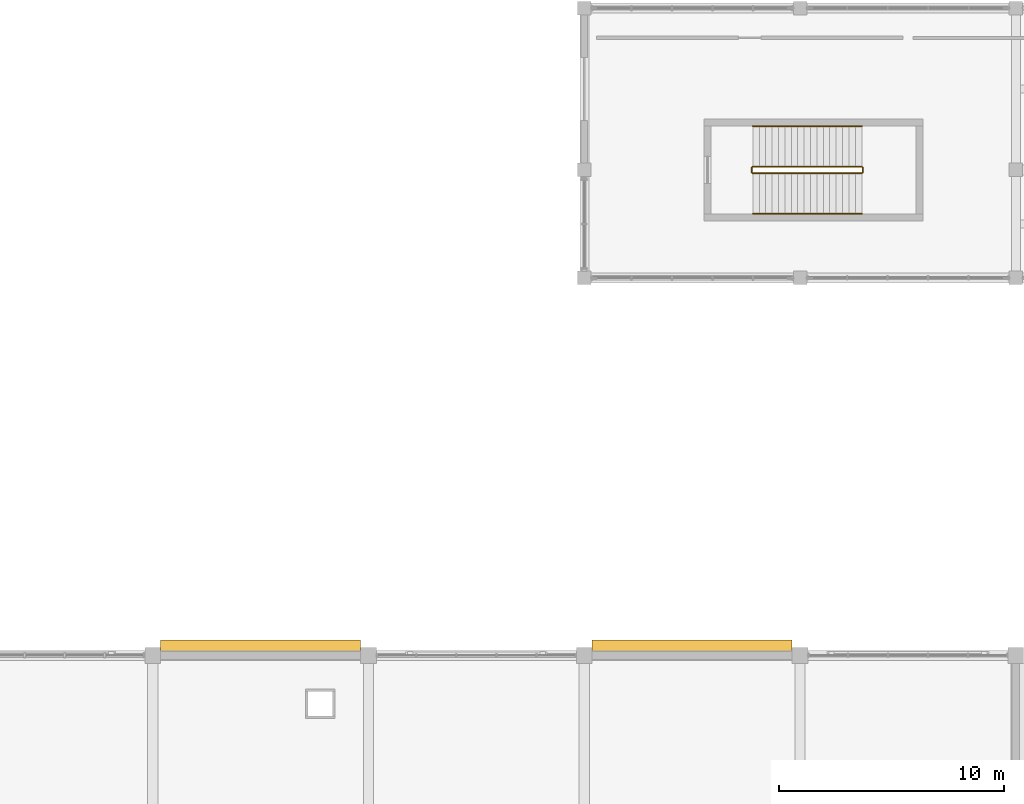
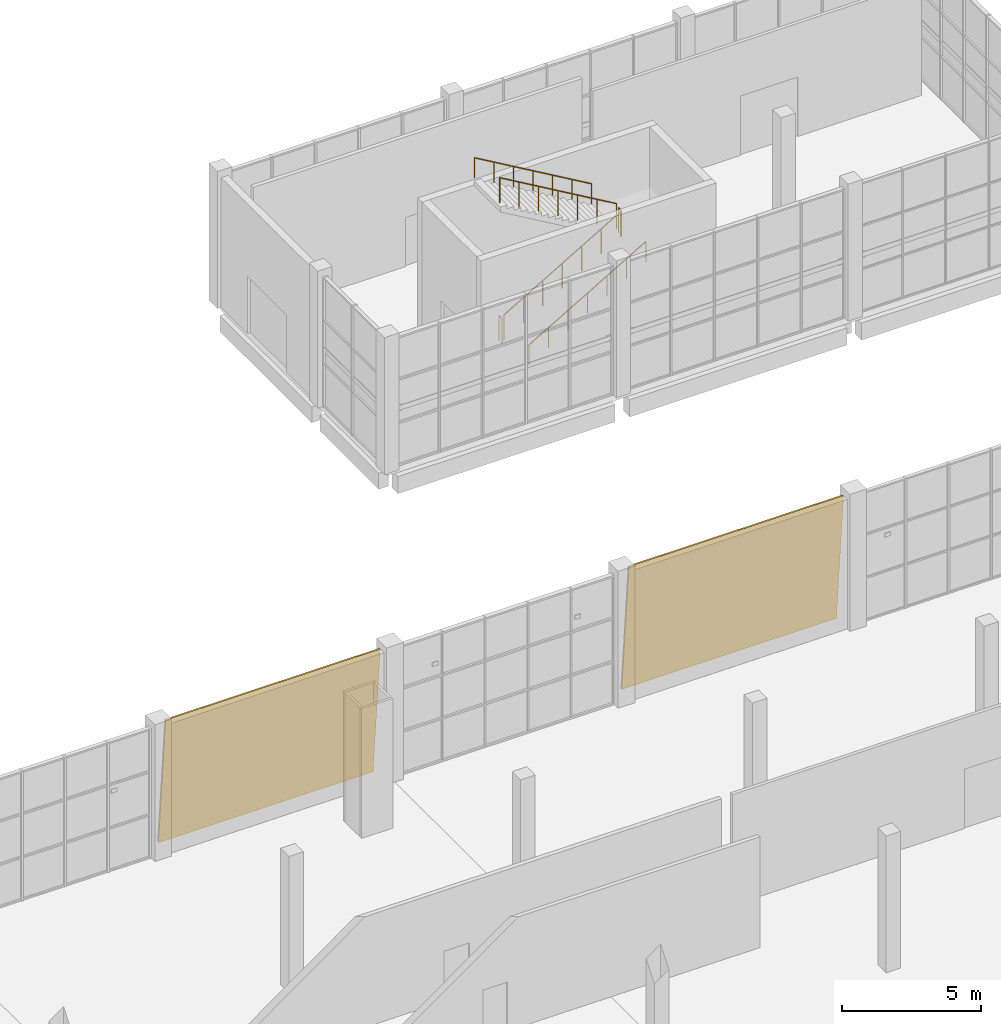
# One storey, part 71 of 84: 6 railings, 2 coverings.
"""IFC4 building model written with IfcOpenShell, lengths in metres."""

from ifc_helpers import new_model, si_unit, direction, frame, origin, origin_2d, place, context, subcontext, project, spatial, polyline, circle, outline, extrude, material, layer, layer_set, type_object, element, save


model = new_model("IFC4")

# Units and contexts
model_context = context("Model", 3, precision=1e-05, world=origin(), true_north=direction((0.0, 1.0)))
body_context = subcontext(model_context, "Body", "Model", "MODEL_VIEW")
ifc_project = project(units=[si_unit("LENGTHUNIT", "METRE"), si_unit("AREAUNIT", "SQUARE_METRE"), si_unit("VOLUMEUNIT", "CUBIC_METRE"), si_unit("PLANEANGLEUNIT", "RADIAN"), si_unit("MASSUNIT", "GRAM", prefix="KILO")], contexts=[model_context])

# Site, building, storey
site_placement = place(None, origin())
site = spatial("IfcSite", under=ifc_project, at=site_placement, CompositionType="ELEMENT")
building_placement = place(site_placement, origin())
building = spatial("IfcBuilding", under=site, at=building_placement, Name="Shalvenor Court Art Gallery", CompositionType="ELEMENT")
storey_placement = place(building_placement, origin())
storey = spatial("IfcBuildingStorey", under=building, at=storey_placement, Name="L00", CompositionType="ELEMENT", Elevation=0.0)

# Coverings
ifc_material_1 = material(Name="Honed Jerusalem limestone cladding", Category="masonry")
ifc_layer = layer(ifc_material_1, 0.06494140625, Name="Honed Jerusalem limestone cladding")
ifc_layer_set = layer_set([ifc_layer], Name="Honed Jerusalem limestone cladding")
covering_type = type_object("IfcCoveringType", Name="CLD-02", PredefinedType="CLADDING", material=ifc_layer_set)
covering_1_placement = place(storey_placement, frame((38.050048828125, 29.48681640625, 0.0), z_axis=(0.0, 0.0, 1.0), x_axis=(-1.0, 0.0, 0.0)))
element("IfcCovering", 1, at=covering_1_placement, inside=storey, type_object=covering_type, Name="L00 V4 Tapered Limestone Cladding 63", PredefinedType="CLADDING", context=body_context, shape_type="SweptSolid", body=[
    extrude(outline(polyline([(0.0, 0.0), (8.900146484375, 0.0), (8.900146484375, 5.703369140625), (0.0, 5.703369140625), (0.0, 0.0)])), frame((0.0, 0.0, 0.0), z_axis=(0.0, -0.995884398616, 0.090632580198), x_axis=(1.0, 0.0, 0.0)), (0.0, 0.090632580198, -0.995884398616), 0.080322265625),
])
covering_2_placement = place(storey_placement, frame((57.25, 29.48681640625, 0.0), z_axis=(0.0, 0.0, 1.0), x_axis=(-1.0, 0.0, 0.0)))
element("IfcCovering", 2, at=covering_2_placement, inside=storey, type_object=covering_type, Name="L00 V4 Tapered Limestone Cladding 64", PredefinedType="CLADDING", context=body_context, shape_type="SweptSolid", body=[
    extrude(outline(polyline([(0.0, 0.0), (8.89990234375, 0.0), (8.89990234375, 5.703369140625), (0.0, 5.703369140625), (0.0, 0.0)])), frame((0.0, 0.0, 0.0), z_axis=(0.0, -0.995884398616, 0.090632580198), x_axis=(1.0, 0.0, 0.0)), (0.0, 0.090632580198, -0.995884398616), 0.080322265625),
])

# Railings
ifc_material_2 = material(Name="Painted steel post-and-rail guard", Category="steel")
railing_type_1 = type_object("IfcRailingType", Name="GR-02", PredefinedType="GUARDRAIL", material=ifc_material_2)
railing_1_placement = place(storey_placement, frame((55.5, 50.25, 0.166748046875)))
element("IfcRailing", 3, at=railing_1_placement, inside=storey, type_object=railing_type_1, Name="L00 ST-10 Stair Guard 1", PredefinedType="GUARDRAIL", context=body_context, shape_type="SweptSolid", body=[
    extrude(circle(Radius=0.02392578125, at=origin_2d()), frame((0.0, 0.0, 1.09619140625), z_axis=(0.863234098208, 0.0, 0.504803815052), x_axis=(0.0, 1.0, 0.0)), (0.0, 0.0, 1.0), 5.612548828125),
    extrude(circle(Radius=0.02099609375, at=origin_2d()), origin(), (0.0, 0.0, 1.0), 1.072021484375),
    extrude(circle(Radius=0.02099609375, at=origin_2d()), frame((0.8076171875, 0.0, 0.47216796875)), (0.0, 0.0, 1.0), 1.072021484375),
    extrude(circle(Radius=0.02099609375, at=origin_2d()), frame((1.614990234375, 0.0, 0.9443359375)), (0.0, 0.0, 1.0), 1.072021484375),
    extrude(circle(Radius=0.02099609375, at=origin_2d()), frame((2.42236328125, 0.0, 1.41650390625)), (0.0, 0.0, 1.0), 1.072021484375),
    extrude(circle(Radius=0.02099609375, at=origin_2d()), frame((3.22998046875, 0.0, 1.888916015625)), (0.0, 0.0, 1.0), 1.072021484375),
    extrude(circle(Radius=0.02099609375, at=origin_2d()), frame((4.03759765625, 0.0, 2.361083984375)), (0.0, 0.0, 1.0), 1.072021484375),
    extrude(circle(Radius=0.02099609375, at=origin_2d()), frame((4.844970703125, 0.0, 2.833251953125)), (0.0, 0.0, 1.0), 1.072021484375),
])
railing_2_placement = place(storey_placement, frame((60.39501953125, 50.300048828125, 3.0)))
element("IfcRailing", 4, at=railing_2_placement, inside=storey, type_object=railing_type_1, Name="L00 ST-10 Stair Guard 2", PredefinedType="GUARDRAIL", context=body_context, shape_type="SweptSolid", body=[
    extrude(circle(Radius=0.02392578125, at=origin_2d()), frame((0.0, 0.0, 1.09619140625), z_axis=(0.0, 1.0, 0.0), x_axis=(-1.0, 0.0, 0.0)), (0.0, 0.0, 1.0), 0.199951171875),
    extrude(circle(Radius=0.02099609375, at=origin_2d()), origin(), (0.0, 0.0, 1.0), 1.072021484375),
    extrude(circle(Radius=0.02099609375, at=origin_2d()), frame((0.0, 0.199951171875, 0.0)), (0.0, 0.0, 1.0), 1.072021484375),
])
railing_3_placement = place(storey_placement, frame((60.344970703125, 50.550048828125, 3.166748046875)))
element("IfcRailing", 5, at=railing_3_placement, inside=storey, type_object=railing_type_1, Name="L00 ST-10 Stair Guard 3", PredefinedType="GUARDRAIL", context=body_context, shape_type="SweptSolid", body=[
    extrude(circle(Radius=0.02392578125, at=origin_2d()), frame((0.0, 0.0, 1.09619140625), z_axis=(-0.863234098208, 0.0, 0.504803815052), x_axis=(0.0, -1.0, 0.0)), (0.0, 0.0, 1.0), 5.612548828125),
    extrude(circle(Radius=0.02099609375, at=origin_2d()), origin(), (0.0, 0.0, 1.0), 1.072021484375),
    extrude(circle(Radius=0.02099609375, at=origin_2d()), frame((-0.8076171875, 0.0, 0.47216796875)), (0.0, 0.0, 1.0), 1.072021484375),
    extrude(circle(Radius=0.02099609375, at=origin_2d()), frame((-1.614990234375, 0.0, 0.9443359375)), (0.0, 0.0, 1.0), 1.072021484375),
    extrude(circle(Radius=0.02099609375, at=origin_2d()), frame((-2.42236328125, 0.0, 1.41650390625)), (0.0, 0.0, 1.0), 1.072021484375),
    extrude(circle(Radius=0.02099609375, at=origin_2d()), frame((-3.22998046875, 0.0, 1.888916015625)), (0.0, 0.0, 1.0), 1.072021484375),
    extrude(circle(Radius=0.02099609375, at=origin_2d()), frame((-4.03759765625, 0.0, 2.361083984375)), (0.0, 0.0, 1.0), 1.072021484375),
    extrude(circle(Radius=0.02099609375, at=origin_2d()), frame((-4.844970703125, 0.0, 2.833251953125)), (0.0, 0.0, 1.0), 1.072021484375),
])
railing_4_placement = place(storey_placement, frame((55.449951171875, 50.300048828125, 0.0)))
element("IfcRailing", 6, at=railing_4_placement, inside=storey, type_object=railing_type_1, Name="L00 ST-10 Stair Guard 4", PredefinedType="GUARDRAIL", context=body_context, shape_type="SweptSolid", body=[
    extrude(circle(Radius=0.02392578125, at=origin_2d()), frame((0.0, 0.0, 1.09619140625), z_axis=(0.0, 1.0, 0.0), x_axis=(-1.0, 0.0, 0.0)), (0.0, 0.0, 1.0), 0.199951171875),
    extrude(circle(Radius=0.02099609375, at=origin_2d()), origin(), (0.0, 0.0, 1.0), 1.072021484375),
    extrude(circle(Radius=0.02099609375, at=origin_2d()), frame((0.0, 0.199951171875, 0.0)), (0.0, 0.0, 1.0), 1.072021484375),
])
ifc_material_3 = material(Name="Brushed stainless steel handrail", Category="steel")
railing_type_2 = type_object("IfcRailingType", Name="HR-01", PredefinedType="HANDRAIL", material=ifc_material_3)
railing_5_placement = place(storey_placement, frame((55.5, 48.449951171875, 0.166748046875)))
element("IfcRailing", 7, at=railing_5_placement, inside=storey, type_object=railing_type_2, Name="L00 ST-10 Stair Handrail 1", PredefinedType="HANDRAIL", context=body_context, shape_type="SweptSolid", body=[
    extrude(circle(Radius=0.02392578125, at=origin_2d()), frame((0.0, 0.0, 0.8759765625), z_axis=(0.863234098208, 0.0, 0.504803815052), x_axis=(0.0, 1.0, 0.0)), (0.0, 0.0, 1.0), 5.612548828125),
    extrude(circle(Radius=0.02099609375, at=origin_2d()), origin(), (0.0, 0.0, 1.0), 0.851806640625),
    extrude(circle(Radius=0.02099609375, at=origin_2d()), frame((0.8076171875, 0.0, 0.47216796875)), (0.0, 0.0, 1.0), 0.851806640625),
    extrude(circle(Radius=0.02099609375, at=origin_2d()), frame((1.614990234375, 0.0, 0.9443359375)), (0.0, 0.0, 1.0), 0.851806640625),
    extrude(circle(Radius=0.02099609375, at=origin_2d()), frame((2.42236328125, 0.0, 1.41650390625)), (0.0, 0.0, 1.0), 0.851806640625),
    extrude(circle(Radius=0.02099609375, at=origin_2d()), frame((3.22998046875, 0.0, 1.888916015625)), (0.0, 0.0, 1.0), 0.851806640625),
    extrude(circle(Radius=0.02099609375, at=origin_2d()), frame((4.03759765625, 0.0, 2.361083984375)), (0.0, 0.0, 1.0), 0.851806640625),
    extrude(circle(Radius=0.02099609375, at=origin_2d()), frame((4.844970703125, 0.0, 2.833251953125)), (0.0, 0.0, 1.0), 0.851806640625),
])
railing_6_placement = place(storey_placement, frame((60.344970703125, 52.35009765625, 3.166748046875)))
element("IfcRailing", 8, at=railing_6_placement, inside=storey, type_object=railing_type_2, Name="L00 ST-10 Stair Handrail 2", PredefinedType="HANDRAIL", context=body_context, shape_type="SweptSolid", body=[
    extrude(circle(Radius=0.02392578125, at=origin_2d()), frame((0.0, 0.0, 0.8759765625), z_axis=(-0.863234098208, 0.0, 0.504803815052), x_axis=(0.0, -1.0, 0.0)), (0.0, 0.0, 1.0), 5.612548828125),
    extrude(circle(Radius=0.02099609375, at=origin_2d()), origin(), (0.0, 0.0, 1.0), 0.851806640625),
    extrude(circle(Radius=0.02099609375, at=origin_2d()), frame((-0.8076171875, 0.0, 0.47216796875)), (0.0, 0.0, 1.0), 0.851806640625),
    extrude(circle(Radius=0.02099609375, at=origin_2d()), frame((-1.614990234375, 0.0, 0.9443359375)), (0.0, 0.0, 1.0), 0.851806640625),
    extrude(circle(Radius=0.02099609375, at=origin_2d()), frame((-2.42236328125, 0.0, 1.41650390625)), (0.0, 0.0, 1.0), 0.851806640625),
    extrude(circle(Radius=0.02099609375, at=origin_2d()), frame((-3.22998046875, 0.0, 1.888916015625)), (0.0, 0.0, 1.0), 0.851806640625),
    extrude(circle(Radius=0.02099609375, at=origin_2d()), frame((-4.03759765625, 0.0, 2.361083984375)), (0.0, 0.0, 1.0), 0.851806640625),
    extrude(circle(Radius=0.02099609375, at=origin_2d()), frame((-4.844970703125, 0.0, 2.833251953125)), (0.0, 0.0, 1.0), 0.851806640625),
])

save(model, "model.ifc")
